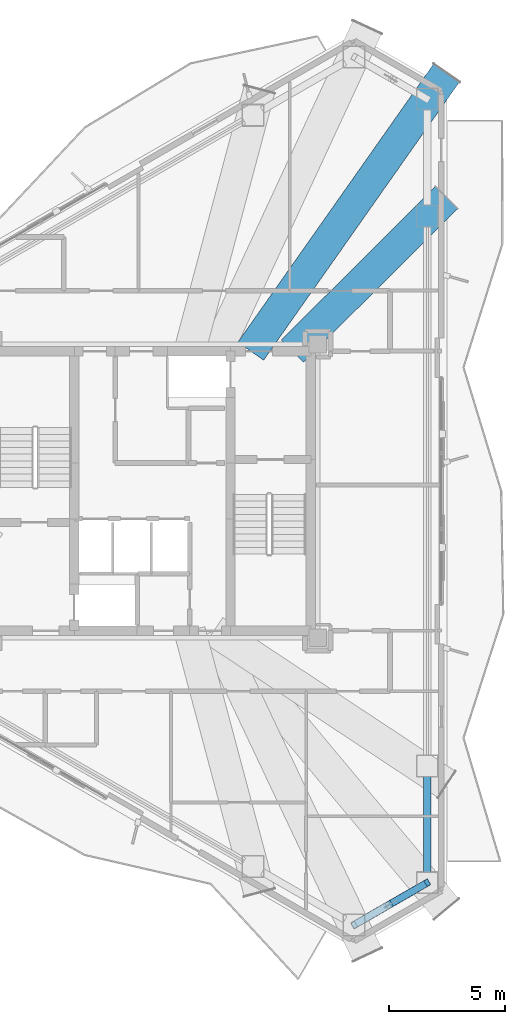
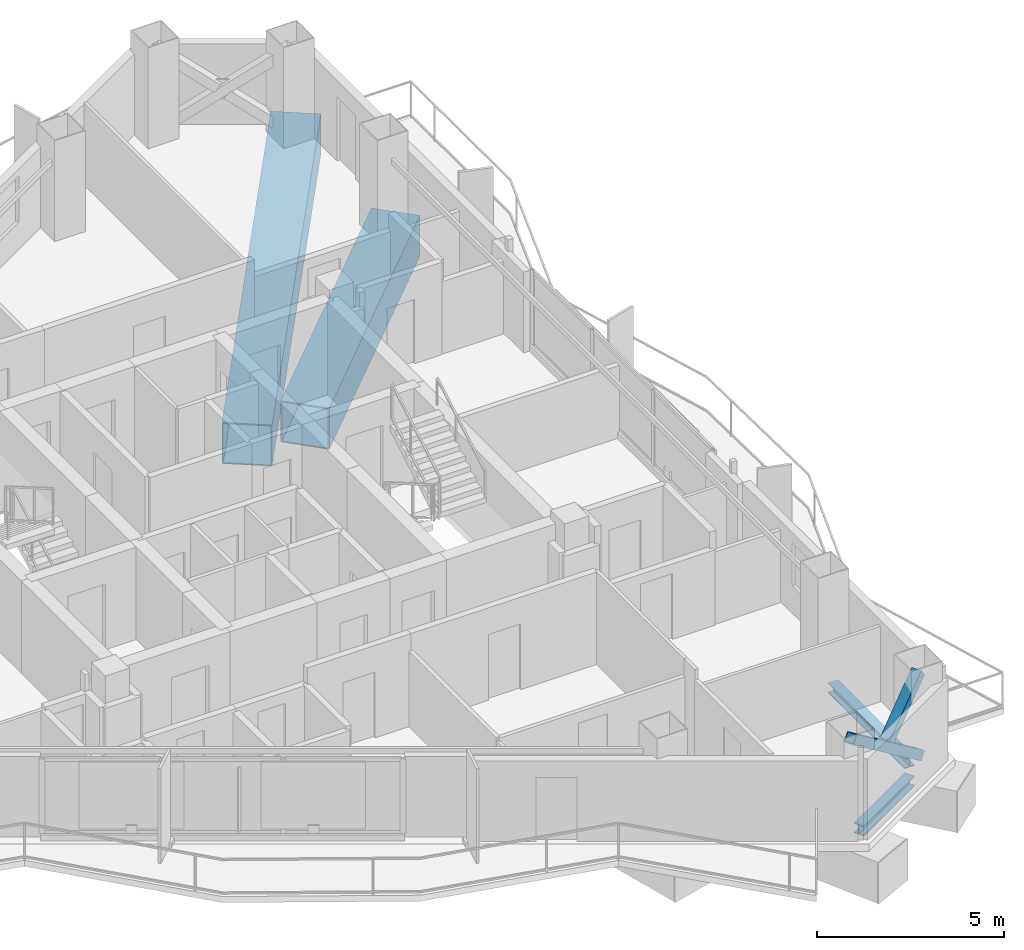
# One storey, part 11 of 22: 4 beams, 2 members.
"""IFC4 building model written with IfcOpenShell, lengths in metres."""

from ifc_helpers import new_model, si_unit, direction, frame, origin, origin_2d, place, context, subcontext, project, spatial, hollow_rectangle, i_section, extrude, material, material_profile, profile_set, type_object, element, save


model = new_model("IFC4")

# Units and contexts
model_context = context("Model", 3, precision=1e-05, world=origin(), true_north=direction((0.0, 1.0)))
body_context = subcontext(model_context, "Body", "Model", "MODEL_VIEW")
ifc_project = project(units=[si_unit("LENGTHUNIT", "METRE"), si_unit("AREAUNIT", "SQUARE_METRE"), si_unit("VOLUMEUNIT", "CUBIC_METRE"), si_unit("PLANEANGLEUNIT", "RADIAN"), si_unit("MASSUNIT", "GRAM", prefix="KILO")], contexts=[model_context])

# Site, building, storey
site_placement = place(None, origin())
site = spatial("IfcSite", under=ifc_project, at=site_placement, CompositionType="ELEMENT")
building_placement = place(site_placement, origin())
building = spatial("IfcBuilding", under=site, at=building_placement, Name="Mersakhor Tower and Convention Hall", CompositionType="ELEMENT")
storey_placement = place(building_placement, frame((0.0, 0.0, 167.39990234375)))
storey = spatial("IfcBuildingStorey", under=building, at=storey_placement, Name="L46", CompositionType="ELEMENT", Elevation=167.39990234375)

# Beams
ifc_material_1 = material(Name="Steel S355", Category="steel")
ifc_material_profile_1 = material_profile(ifc_material_1, i_section(OverallWidth=0.30908203125, OverallDepth=0.320556640625, WebThickness=0.013916015625, FlangeThickness=0.021728515625, at=origin_2d()), Name="UC 305x305x137")
ifc_profile_set_1 = profile_set([ifc_material_profile_1], Name="Steel S355")
beam_type_1 = type_object("IfcBeamType", Name="BM-SPD-UC305", PredefinedType="SPANDREL", material=ifc_profile_set_1)
beam_1_placement = place(storey_placement, frame((40.8037109375, 14.4892578125, -0.39013671875), z_axis=(0.0, -1.0, 0.0), x_axis=(1.0, 0.0, 0.0)))
element("IfcBeam", 1, at=beam_1_placement, inside=storey, type_object=beam_type_1, Name="L46 Perimeter Spandrel Beam SPB-07", PredefinedType="SPANDREL", context=body_context, shape_type="SweptSolid", body=[
    extrude(i_section(OverallWidth=0.30908203125, OverallDepth=0.320556640625, WebThickness=0.013916015625, FlangeThickness=0.021728515625, at=origin_2d()), origin(), (0.0, 0.0, 1.0), 4.1015625),
])
beam_2_placement = place(storey_placement, frame((40.409912109375, 9.705078125, -0.39013671875), z_axis=(-0.866050945225, -0.499955758317, 0.0), x_axis=(0.499955758317, -0.866050945225, 0.0)))
element("IfcBeam", 2, at=beam_2_placement, inside=storey, type_object=beam_type_1, Name="L46 Perimeter Spandrel Beam SPB-08", PredefinedType="SPANDREL", context=body_context, shape_type="SweptSolid", body=[
    extrude(i_section(OverallWidth=0.30908203125, OverallDepth=0.320556640625, WebThickness=0.013916015625, FlangeThickness=0.021728515625, at=origin_2d()), origin(), (0.0, 0.0, 1.0), 2.717529296875),
])
ifc_material_2 = material(Name="Steel S460", Category="steel")
ifc_material_profile_2 = material_profile(ifc_material_2, hollow_rectangle(XDim=1.35009765625, YDim=1.35009765625, WallThickness=0.035888671875, at=origin_2d()), Name="SHS 1350x1350x36")
ifc_profile_set_2 = profile_set([ifc_material_profile_2], Name="Steel S460")
beam_type_2 = type_object("IfcBeamType", Name="BM-TR-BOX1350", PredefinedType="BEAM", material=ifc_profile_set_2)
beam_3_placement = place(storey_placement, frame((41.619140625, 44.6826171875, -0.90478515625), z_axis=(-0.575490919352, -0.817808169281, 0.0), x_axis=(0.817808169281, -0.575490919352, 0.0)))
element("IfcBeam", 3, at=beam_3_placement, inside=storey, type_object=beam_type_2, Name="L46 Taper Step Transfer Girder STG-05", PredefinedType="BEAM", context=body_context, shape_type="SweptSolid", body=[
    extrude(hollow_rectangle(XDim=1.35009765625, YDim=1.35009765625, WallThickness=0.035888671875, at=origin_2d()), origin(), (0.0, 0.0, 1.0), 14.591064453125),
])
beam_4_placement = place(storey_placement, frame((41.619140625, 39.338623046875, -0.90478515625), z_axis=(-0.707969855093, -0.706242652549, 0.0), x_axis=(0.706242652549, -0.707969855093, 0.0)))
element("IfcBeam", 4, at=beam_4_placement, inside=storey, type_object=beam_type_2, Name="L46 Taper Step Transfer Girder STG-06", PredefinedType="BEAM", context=body_context, shape_type="SweptSolid", body=[
    extrude(hollow_rectangle(XDim=1.35009765625, YDim=1.35009765625, WallThickness=0.035888671875, at=origin_2d()), origin(), (0.0, 0.0, 1.0), 9.3291015625),
])

# Members
ifc_material_3 = material(Name="Steel S355", Category="steel")
ifc_material_profile_3 = material_profile(ifc_material_3, hollow_rectangle(XDim=0.300048828125, YDim=0.300048828125, WallThickness=0.01611328125, at=origin_2d()), Name="SHS 300x300x16")
ifc_profile_set_3 = profile_set([ifc_material_profile_3], Name="Steel S355")
member_type = type_object("IfcMemberType", Name="MB-BRC-SHS300", PredefinedType="BRACE", material=ifc_profile_set_3)
member_1_placement = place(storey_placement, frame((40.8037109375, 9.9326171875, 0.150146484375), z_axis=(-0.692864927455, -0.400038357508, 0.599922915736), x_axis=(0.500011816409, -0.86601858147, 0.0)))
element("IfcMember", 5, at=member_1_placement, inside=storey, type_object=member_type, Name="L46 Chamfer Braced Frame Diagonal CB-2A", PredefinedType="BRACE", context=body_context, shape_type="SweptSolid", body=[
    extrude(hollow_rectangle(XDim=0.300048828125, YDim=0.300048828125, WallThickness=0.01611328125, at=origin_2d()), origin(), (0.0, 0.0, 1.0), 4.533935546875),
])
member_2_placement = place(storey_placement, frame((39.346923828125, 9.091552734375, 1.608642578125), z_axis=(0.69284958613, 0.400011198964, 0.599958741668), x_axis=(-0.499994660107, 0.866028486751, 0.0)))
element("IfcMember", 6, at=member_2_placement, inside=storey, type_object=member_type, Name="L46 Chamfer Braced Frame Diagonal CB-2B Upper Half", PredefinedType="BRACE", context=body_context, shape_type="SweptSolid", body=[
    extrude(hollow_rectangle(XDim=0.300048828125, YDim=0.300048828125, WallThickness=0.01611328125, at=origin_2d()), origin(), (0.0, 0.0, 1.0), 2.1025390625),
])

save(model, "model.ifc")
